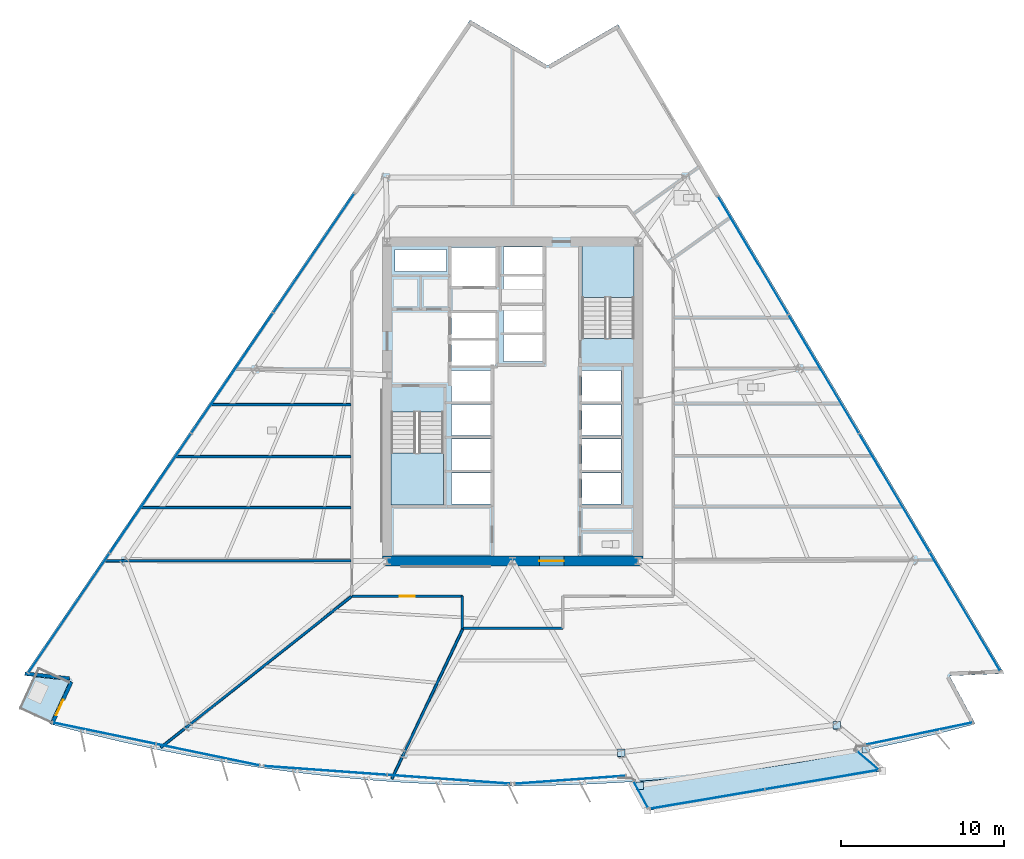
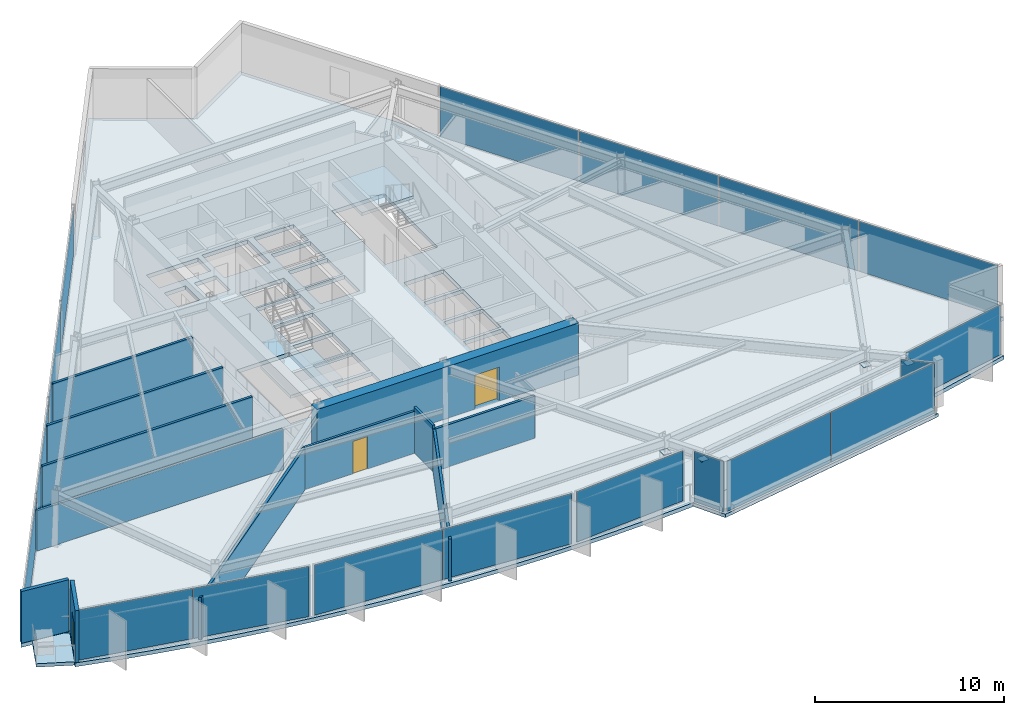
# One storey, part 8 of 18: 22 plates, 12 walls, 5 slabs, 3 doors, 3 openings, 11 elements without a shape of their own.
"""IFC4 building model written with IfcOpenShell, lengths in metres."""

from ifc_helpers import new_model, si_unit, direction, frame, frame_2d, origin, origin_2d, place, context, subcontext, project, spatial, polyline, rectangle, outline, extrude, material, layer, layer_set, type_object, element, fill, aggregate, save


model = new_model("IFC4")

# Units and contexts
model_context = context("Model", 3, precision=1e-05, world=origin(), true_north=direction((0.0, 1.0)))
body_context = subcontext(model_context, "Body", "Model", "MODEL_VIEW")
ifc_project = project(units=[si_unit("LENGTHUNIT", "METRE"), si_unit("AREAUNIT", "SQUARE_METRE"), si_unit("VOLUMEUNIT", "CUBIC_METRE"), si_unit("PLANEANGLEUNIT", "RADIAN"), si_unit("MASSUNIT", "GRAM", prefix="KILO")], contexts=[model_context])

# Site, building, storey
site_placement = place(None, origin())
site = spatial("IfcSite", under=ifc_project, at=site_placement, CompositionType="ELEMENT")
building_placement = place(site_placement, origin())
building = spatial("IfcBuilding", under=site, at=building_placement, Name="Savorim Split Tower", CompositionType="ELEMENT")
storey_placement = place(building_placement, frame((0.0, 0.0, 48.0)))
storey = spatial("IfcBuildingStorey", under=building, at=storey_placement, Name="L12", CompositionType="ELEMENT", Elevation=48.0)

# Curtain wall, plates
ifc_material_1 = material(Name="Dark Ceramic-Fritted Insulated Glass", Category="glass")
curtain_wall_type_1 = type_object("IfcCurtainWallType", Name="CW-TWR-FRIT-A", PredefinedType="NOTDEFINED", material=ifc_material_1)
curtain_wall_1_placement = place(storey_placement, origin())
curtain_wall_1 = element("IfcCurtainWall", 1, at=curtain_wall_1_placement, inside=storey, type_object=curtain_wall_type_1, Name="L12 Curtain Wall CW-L12-SF1A", PredefinedType="NOTDEFINED")
ifc_layer_1 = layer(ifc_material_1, 0.028076171875)
ifc_layer_set_1 = layer_set([ifc_layer_1], Name="CWP-FRITA-28")
plate_type_1 = type_object("IfcPlateType", Name="CWP-FRITA-28", PredefinedType="CURTAIN_PANEL", material=ifc_layer_set_1)
plate_1_placement = place(storey_placement, frame((-25.066162109375, -19.96923828125, 0.05517578125), z_axis=(0.0, 0.0, 1.0), x_axis=(0.9791346714, -0.203212438751, 0.0)))
plate_1 = element("IfcPlate", 2, at=plate_1_placement, type_object=plate_type_1, Name="CW-02 panel 1.1", PredefinedType="CURTAIN_PANEL", context=body_context, shape_type="SweptSolid", body=[
    extrude(rectangle(XDim=6.43017578125, YDim=0.028076171875, at=origin_2d()), origin(), (0.0, 0.0, 1.0), 3.239990234375),
])
plate_2_placement = place(storey_placement, frame((-18.70654296875, -21.289306640625, 0.05517578125), z_axis=(0.0, 0.0, 1.0), x_axis=(0.9791346714, -0.203212438751, 0.0)))
plate_2 = element("IfcPlate", 3, at=plate_2_placement, type_object=plate_type_1, Name="CW-02 panel 2.1", PredefinedType="CURTAIN_PANEL", context=body_context, shape_type="SweptSolid", body=[
    extrude(rectangle(XDim=6.43017578125, YDim=0.028076171875, at=origin_2d()), origin(), (0.0, 0.0, 1.0), 3.239990234375),
])
aggregate(curtain_wall_1, [plate_1, plate_2])

curtain_wall_2_placement = place(storey_placement, origin())
curtain_wall_2 = element("IfcCurtainWall", 4, at=curtain_wall_2_placement, inside=storey, type_object=curtain_wall_type_1, Name="L12 Curtain Wall CW-L12-SF2A", PredefinedType="NOTDEFINED")
plate_3_placement = place(storey_placement, frame((-11.491455078125, -22.25537109375, 0.05517578125), z_axis=(0.0, 0.0, 1.0), x_axis=(0.997436164811, -0.071561841284, 0.0)))
plate_3 = element("IfcPlate", 5, at=plate_3_placement, type_object=plate_type_1, Name="CW-02 panel 1.1", PredefinedType="CURTAIN_PANEL", context=body_context, shape_type="SweptSolid", body=[
    extrude(rectangle(XDim=7.532958984375, YDim=0.028076171875, at=origin_2d()), origin(), (0.0, 0.0, 1.0), 3.239990234375),
])
plate_4_placement = place(storey_placement, frame((-3.912841796875, -22.799072265625, 0.05517578125), z_axis=(0.0, 0.0, 1.0), x_axis=(0.997436164811, -0.071561841284, 0.0)))
plate_4 = element("IfcPlate", 6, at=plate_4_placement, type_object=plate_type_1, Name="CW-02 panel 2.1", PredefinedType="CURTAIN_PANEL", context=body_context, shape_type="SweptSolid", body=[
    extrude(rectangle(XDim=7.532958984375, YDim=0.028076171875, at=origin_2d()), origin(), (0.0, 0.0, 1.0), 3.239990234375),
])
aggregate(curtain_wall_2, [plate_3, plate_4])

# Curtain wall, plate
curtain_wall_3_placement = place(storey_placement, origin())
curtain_wall_3 = element("IfcCurtainWall", 7, at=curtain_wall_3_placement, inside=storey, type_object=curtain_wall_type_1, Name="L12 Curtain Wall CW-L12-SF3A", PredefinedType="NOTDEFINED")
plate_5_placement = place(storey_placement, frame((3.534912109375, -22.826171875, 0.05517578125), z_axis=(0.0, 0.0, 1.0), x_axis=(0.997435490259, 0.071571242627, 0.0)))
plate_5 = element("IfcPlate", 8, at=plate_5_placement, type_object=plate_type_1, Name="CW-02 panel 1.1", PredefinedType="CURTAIN_PANEL", context=body_context, shape_type="SweptSolid", body=[
    extrude(rectangle(XDim=6.77490234375, YDim=0.028076171875, at=origin_2d()), origin(), (0.0, 0.0, 1.0), 3.239990234375),
])
aggregate(curtain_wall_3, [plate_5])

curtain_wall_4_placement = place(storey_placement, origin())
curtain_wall_4 = element("IfcCurtainWall", 9, at=curtain_wall_4_placement, inside=storey, type_object=curtain_wall_type_1, Name="L12 Curtain Wall CW-L12-SF4A", PredefinedType="NOTDEFINED")
plate_6_placement = place(storey_placement, frame((24.946044921875, -19.994384765625, 0.05517578125), z_axis=(0.0, 0.0, 1.0), x_axis=(0.979133561639, 0.203217785816, 0.0)))
plate_6 = element("IfcPlate", 10, at=plate_6_placement, type_object=plate_type_1, Name="CW-02 panel 1.1", PredefinedType="CURTAIN_PANEL", context=body_context, shape_type="SweptSolid", body=[
    extrude(rectangle(XDim=6.675537109375, YDim=0.028076171875, at=origin_2d()), origin(), (0.0, 0.0, 1.0), 3.239990234375),
])
aggregate(curtain_wall_4, [plate_6])

# Curtain wall, plates
curtain_wall_5_placement = place(storey_placement, origin())
curtain_wall_5 = element("IfcCurtainWall", 11, at=curtain_wall_5_placement, inside=storey, type_object=curtain_wall_type_1, Name="L12 Curtain Wall CW-L12-EAST", PredefinedType="NOTDEFINED")
plate_7_placement = place(storey_placement, frame((27.76611328125, -12.51416015625, 0.05517578125), z_axis=(0.0, 0.0, 1.0), x_axis=(-0.511092439425, 0.859525752007, 0.0)))
plate_7 = element("IfcPlate", 12, at=plate_7_placement, type_object=plate_type_1, Name="CW-02 panel 1.1", PredefinedType="CURTAIN_PANEL", context=body_context, shape_type="SweptSolid", body=[
    extrude(rectangle(XDim=8.394775390625, YDim=0.028076171875, at=origin_2d()), origin(), (0.0, 0.0, 1.0), 3.239990234375),
])
plate_8_placement = place(storey_placement, frame((23.43408203125, -5.228759765625, 0.05517578125), z_axis=(0.0, 0.0, 1.0), x_axis=(-0.511092439425, 0.859525752007, 0.0)))
plate_8 = element("IfcPlate", 13, at=plate_8_placement, type_object=plate_type_1, Name="CW-02 panel 2.1", PredefinedType="CURTAIN_PANEL", context=body_context, shape_type="SweptSolid", body=[
    extrude(rectangle(XDim=8.42724609375, YDim=0.028076171875, at=origin_2d()), origin(), (0.0, 0.0, 1.0), 3.239990234375),
])
plate_9_placement = place(storey_placement, frame((19.093505859375, 2.070556640625, 0.05517578125), z_axis=(0.0, 0.0, 1.0), x_axis=(-0.511092439425, 0.859525752007, 0.0)))
plate_9 = element("IfcPlate", 14, at=plate_9_placement, type_object=plate_type_1, Name="CW-02 panel 3.1", PredefinedType="CURTAIN_PANEL", context=body_context, shape_type="SweptSolid", body=[
    extrude(rectangle(XDim=8.42724609375, YDim=0.028076171875, at=origin_2d()), origin(), (0.0, 0.0, 1.0), 3.239990234375),
])
plate_10_placement = place(storey_placement, frame((14.761474609375, 9.35595703125, 0.05517578125), z_axis=(0.0, 0.0, 1.0), x_axis=(-0.511092439425, 0.859525752007, 0.0)))
plate_10 = element("IfcPlate", 15, at=plate_10_placement, type_object=plate_type_1, Name="CW-02 panel 4.1", PredefinedType="CURTAIN_PANEL", context=body_context, shape_type="SweptSolid", body=[
    extrude(rectangle(XDim=8.394775390625, YDim=0.028076171875, at=origin_2d()), origin(), (0.0, 0.0, 1.0), 3.239990234375),
])
aggregate(curtain_wall_5, [plate_7, plate_8, plate_9, plate_10])

curtain_wall_6_placement = place(storey_placement, origin())
curtain_wall_6 = element("IfcCurtainWall", 16, at=curtain_wall_6_placement, inside=storey, type_object=curtain_wall_type_1, Name="L12 Curtain Wall CW-L12-WEST", PredefinedType="NOTDEFINED")
plate_11_placement = place(storey_placement, frame((-12.20166015625, 9.489990234375, 0.05517578125), z_axis=(0.0, 0.0, 1.0), x_axis=(-0.562465253164, -0.826820923165, 0.0)))
plate_11 = element("IfcPlate", 17, at=plate_11_placement, type_object=plate_type_1, Name="CW-02 panel 1.1", PredefinedType="CURTAIN_PANEL", context=body_context, shape_type="SweptSolid", body=[
    extrude(rectangle(XDim=8.822265625, YDim=0.028076171875, at=origin_2d()), origin(), (0.0, 0.0, 1.0), 3.239990234375),
])
plate_12_placement = place(storey_placement, frame((-17.20947265625, 2.12841796875, 0.05517578125), z_axis=(0.0, 0.0, 1.0), x_axis=(-0.562465253164, -0.826820923165, 0.0)))
plate_12 = element("IfcPlate", 18, at=plate_12_placement, type_object=plate_type_1, Name="CW-02 panel 2.1", PredefinedType="CURTAIN_PANEL", context=body_context, shape_type="SweptSolid", body=[
    extrude(rectangle(XDim=8.854736328125, YDim=0.028076171875, at=origin_2d()), origin(), (0.0, 0.0, 1.0), 3.239990234375),
])
plate_13_placement = place(storey_placement, frame((-22.2265625, -5.24658203125, 0.05517578125), z_axis=(0.0, 0.0, 1.0), x_axis=(-0.562465253164, -0.826820923165, 0.0)))
plate_13 = element("IfcPlate", 19, at=plate_13_placement, type_object=plate_type_1, Name="CW-02 panel 3.1", PredefinedType="CURTAIN_PANEL", context=body_context, shape_type="SweptSolid", body=[
    extrude(rectangle(XDim=8.854736328125, YDim=0.028076171875, at=origin_2d()), origin(), (0.0, 0.0, 1.0), 3.239990234375),
])
plate_14_placement = place(storey_placement, frame((-27.234375, -12.608154296875, 0.05517578125), z_axis=(0.0, 0.0, 1.0), x_axis=(-0.562465253164, -0.826820923165, 0.0)))
plate_14 = element("IfcPlate", 20, at=plate_14_placement, type_object=plate_type_1, Name="CW-02 panel 4.1", PredefinedType="CURTAIN_PANEL", context=body_context, shape_type="SweptSolid", body=[
    extrude(rectangle(XDim=8.822265625, YDim=0.028076171875, at=origin_2d()), origin(), (0.0, 0.0, 1.0), 3.239990234375),
])
aggregate(curtain_wall_6, [plate_11, plate_12, plate_13, plate_14])

curtain_wall_type_2 = type_object("IfcCurtainWallType", Name="CW-BAY-LOUNGE", PredefinedType="NOTDEFINED", material=ifc_material_1)
curtain_wall_7_placement = place(storey_placement, origin())
curtain_wall_7 = element("IfcCurtainWall", 21, at=curtain_wall_7_placement, inside=storey, type_object=curtain_wall_type_2, Name="L12 Curtain Wall CW-L12-BAYF", PredefinedType="NOTDEFINED")
ifc_material_2 = material(Name="Low-E Operable Double Glazing", Category="glass")
ifc_layer_2 = layer(ifc_material_2, 0.031982421875)
ifc_layer_set_2 = layer_set([ifc_layer_2], Name="CWP-POD-32")
plate_type_2 = type_object("IfcPlateType", Name="CWP-POD-32", PredefinedType="CURTAIN_PANEL", material=ifc_layer_set_2)
plate_15_placement = place(storey_placement, frame((11.9560546875, -24.0107421875, 0.05517578125), z_axis=(0.0, 0.0, 1.0), x_axis=(0.985981114178, 0.166856952162, 0.0)))
plate_15 = element("IfcPlate", 22, at=plate_15_placement, type_object=plate_type_2, Name="CW-04 panel 1.1", PredefinedType="CURTAIN_PANEL", context=body_context, shape_type="SweptSolid", body=[
    extrude(rectangle(XDim=7.095458984375, YDim=0.031982421875, at=origin_2d()), origin(), (0.0, 0.0, 1.0), 3.239990234375),
])
plate_16_placement = place(storey_placement, frame((19.01611328125, -22.81591796875, 0.05517578125), z_axis=(0.0, 0.0, 1.0), x_axis=(0.985981114178, 0.166856952162, 0.0)))
plate_16 = element("IfcPlate", 23, at=plate_16_placement, type_object=plate_type_2, Name="CW-04 panel 2.1", PredefinedType="CURTAIN_PANEL", context=body_context, shape_type="SweptSolid", body=[
    extrude(rectangle(XDim=7.095458984375, YDim=0.031982421875, at=origin_2d()), origin(), (0.0, 0.0, 1.0), 3.239990234375),
])
aggregate(curtain_wall_7, [plate_15, plate_16])

# Curtain wall, plate
curtain_wall_8_placement = place(storey_placement, origin())
curtain_wall_8 = element("IfcCurtainWall", 24, at=curtain_wall_8_placement, inside=storey, type_object=curtain_wall_type_2, Name="L12 Curtain Wall CW-L12-BAYW", PredefinedType="NOTDEFINED")
plate_17_placement = place(storey_placement, frame((7.87109375, -23.743408203125, 0.05517578125), z_axis=(0.0, 0.0, 1.0), x_axis=(0.475743412281, -0.879584109492, 0.0)))
plate_17 = element("IfcPlate", 25, at=plate_17_placement, type_object=plate_type_2, Name="CW-04 panel 1.1", PredefinedType="CURTAIN_PANEL", context=body_context, shape_type="SweptSolid", body=[
    extrude(rectangle(XDim=1.81005859375, YDim=0.031982421875, at=origin_2d()), origin(), (0.0, 0.0, 1.0), 3.239990234375),
])
aggregate(curtain_wall_8, [plate_17])

curtain_wall_9_placement = place(storey_placement, origin())
curtain_wall_9 = element("IfcCurtainWall", 26, at=curtain_wall_9_placement, inside=storey, type_object=curtain_wall_type_2, Name="L12 Curtain Wall CW-L12-BAYE", PredefinedType="NOTDEFINED")
plate_18_placement = place(storey_placement, frame((21.79638671875, -21.636474609375, 0.05517578125), z_axis=(0.0, 0.0, 1.0), x_axis=(-0.758694689243, 0.651446366568, 0.0)))
plate_18 = element("IfcPlate", 27, at=plate_18_placement, type_object=plate_type_2, Name="CW-04 panel 1.1", PredefinedType="CURTAIN_PANEL", context=body_context, shape_type="SweptSolid", body=[
    extrude(rectangle(XDim=1.705078125, YDim=0.031982421875, at=origin_2d()), origin(), (0.0, 0.0, 1.0), 3.239990234375),
])
aggregate(curtain_wall_9, [plate_18])

# Plates
ifc_material_3 = material(Name="Steel S460", Category="steel")
ifc_layer_3 = layer(ifc_material_3, 0.02490234375)
ifc_layer_set_3 = layer_set([ifc_layer_3], Name="PLT-NODE-CN1")
plate_type_3 = type_object("IfcPlateType", Name="PLT-NODE-CN1", PredefinedType="SHEET", material=ifc_layer_set_3)
for number, where, z_axis, x_axis, name in (
    (28, (6.665283203125, -21.18212890625, 2.4375), (0.0, 0.0, 1.0), (1.0, 0.0, 0.0), "L12 Bay Strut Column Gusset Plate 1"),
    (29, (7.81640625, -23.18603515625, 2.8076171875), (0.0, 0.0, 1.0), (1.0, 0.0, 0.0), "L12 Bay Strut Tip Gusset Plate 1"),
    (30, (19.887451171875, -19.484619140625, 2.4375), (0.0, 0.0, 1.0), (1.0, 0.0, 0.0), "L12 Bay Strut Column Gusset Plate 2"),
    (31, (21.67578125, -20.942626953125, 2.8076171875), (0.0, 0.0, 1.0), (1.0, 0.0, 0.0), "L12 Bay Strut Tip Gusset Plate 2"),
):
    element("IfcPlate", number, at=place(storey_placement, frame(where, z_axis=z_axis, x_axis=x_axis)), inside=storey, type_object=plate_type_3, Name=name, PredefinedType="SHEET", context=body_context, shape_type="SweptSolid", body=[
        extrude(rectangle(XDim=0.4599609375, YDim=0.4599609375, at=origin_2d()), origin(), (0.0, 0.0, 1.0), 0.02490234375),
    ])

# Slabs
ifc_material_4 = material(Name="Concrete C50/60", Category="concrete")
ifc_layer_4 = layer(ifc_material_4, 0.219970703125)
ifc_layer_set_4 = layer_set([ifc_layer_4], Name="SLB-BAL-220")
slab_type_1 = type_object("IfcSlabType", Name="SLB-BAL-220", PredefinedType="FLOOR", material=ifc_layer_set_4)
slab_1_placement = place(storey_placement, frame((0.0, 0.0, -0.219970703125)))
element("IfcSlab", 32, at=slab_1_placement, inside=storey, type_object=slab_type_1, Name="L12 Cantilevered Shared Kitchen Lounge Slab", PredefinedType="FLOOR", context=body_context, shape_type="SweptSolid", body=[
    extrude(outline(polyline([(21.29638671875, -21.0751953125), (19.783203125, -21.373046875), (17.60595703125, -21.755615234375), (15.42138671875, -22.093505859375), (13.230224609375, -22.38671875), (11.03369140625, -22.635009765625), (8.83251953125, -22.83837890625), (7.326416015625, -22.9462890625), (8.292236328125, -24.732177734375), (22.713134765625, -22.291748046875), (21.29638671875, -21.0751953125)])), origin(), (0.0, 0.0, 1.0), 0.219970703125),
])
slab_2_placement = place(storey_placement, frame((0.0, 0.0, -0.219970703125)))
element("IfcSlab", 33, at=slab_2_placement, inside=storey, type_object=slab_type_1, Name="L12 Notched Corner Planted Tree Balcony Slab", PredefinedType="FLOOR", context=body_context, shape_type="SweptSolid", body=[
    extrude(outline(polyline([(-28.3544921875, -19.288818359375), (-27.230712890625, -16.843017578125), (-27.541015625, -16.7001953125), (-29.32421875, -16.501220703125), (-30.212646484375, -18.43505859375), (-28.3544921875, -19.288818359375)])), origin(), (0.0, 0.0, 1.0), 0.219970703125),
])

# Stair, slab
stair_type = type_object("IfcStairType", Name="STR-DOG-3600", PredefinedType="HALF_TURN_STAIR", material=ifc_material_4)
stair_1_placement = place(storey_placement, origin())
stair_1 = element("IfcStair", 34, at=stair_1_placement, inside=storey, type_object=stair_type, Name="L12 Core Protected Exit Stair ST-1", PredefinedType="HALF_TURN_STAIR")
ifc_layer_5 = layer(ifc_material_4, 0.199951171875)
ifc_layer_set_5 = layer_set([ifc_layer_5], Name="SLB-LND-200")
slab_type_2 = type_object("IfcSlabType", Name="SLB-LND-200", PredefinedType="LANDING", material=ifc_layer_set_5)
slab_3_placement = place(storey_placement, frame((0.0, 0.0, 1.60009765625)))
slab_3 = element("IfcSlab", 35, at=slab_3_placement, type_object=slab_type_2, Name="ST-1 landing 1", PredefinedType="LANDING", context=body_context, shape_type="SweptSolid", body=[
    extrude(outline(polyline([(-7.449951171875, -2.77001953125), (-7.449951171875, -5.949951171875), (-4.25, -5.949951171875), (-4.25, -2.77001953125), (-7.449951171875, -2.77001953125)])), origin(), (0.0, 0.0, 1.0), 0.199951171875),
])
aggregate(stair_1, [slab_3])

stair_2_placement = place(storey_placement, origin())
stair_2 = element("IfcStair", 36, at=stair_2_placement, inside=storey, type_object=stair_type, Name="L12 Core Protected Exit Stair ST-2", PredefinedType="HALF_TURN_STAIR")
slab_4_placement = place(storey_placement, frame((0.0, 0.0, 1.60009765625)))
slab_4 = element("IfcSlab", 37, at=slab_4_placement, type_object=slab_type_2, Name="ST-2 landing 1", PredefinedType="LANDING", context=body_context, shape_type="SweptSolid", body=[
    extrude(outline(polyline([(7.449951171875, 6.77001953125), (7.449951171875, 9.949951171875), (4.25, 9.949951171875), (4.25, 6.77001953125), (7.449951171875, 6.77001953125)])), origin(), (0.0, 0.0, 1.0), 0.199951171875),
])
aggregate(stair_2, [slab_4])

# Slab
ifc_layer_6 = layer(ifc_material_4, 0.25)
ifc_layer_set_6 = layer_set([ifc_layer_6], Name="SLB-TWR-250")
slab_type_3 = type_object("IfcSlabType", Name="SLB-TWR-250", PredefinedType="FLOOR", material=ifc_layer_set_6)
slab_5_placement = place(storey_placement, frame((0.0, 0.0, -0.25)))
element("IfcSlab", 38, at=slab_5_placement, inside=storey, type_object=slab_type_3, Name="L12 Structural Floor Slab", PredefinedType="FLOOR", context=body_context, shape_type="SweptSolid", body=[
    extrude(outline(polyline([(-28.39990234375, -19.39990234375), (-26.261474609375, -19.959228515625), (-24.11181640625, -20.474609375), (-21.951904296875, -20.946044921875), (-19.783203125, -21.373046875), (-17.60595703125, -21.755615234375), (-15.42138671875, -22.093505859375), (-13.230224609375, -22.38671875), (-11.03369140625, -22.635009765625), (-8.83251953125, -22.83837890625), (-6.627685546875, -22.99658203125), (-4.419921875, -23.109619140625), (-2.21044921875, -23.177490234375), (0.0, -23.199951171875), (2.21044921875, -23.177490234375), (4.419921875, -23.109619140625), (6.627685546875, -22.99658203125), (8.83251953125, -22.83837890625), (11.03369140625, -22.635009765625), (13.230224609375, -22.38671875), (15.42138671875, -22.093505859375), (17.60595703125, -21.755615234375), (19.783203125, -21.373046875), (21.951904296875, -20.946044921875), (24.11181640625, -20.474609375), (26.261474609375, -19.959228515625), (28.39990234375, -19.39990234375), (26.81591796875, -16.447998046875), (30.16015625, -16.3056640625), (6.473876953125, 23.5283203125), (2.14990234375, 21.00830078125), (-2.6083984375, 23.80517578125), (-29.97509765625, -16.423583984375), (-27.176025390625, -16.736083984375), (-28.39990234375, -19.39990234375)]), holes=[polyline([(-7.449951171875, -0.25390625), (-7.449951171875, -5.949951171875), (-4.25, -5.949951171875), (-4.25, -0.25390625), (-7.449951171875, -0.25390625)]), polyline([(7.449951171875, 4.25390625), (7.449951171875, 9.949951171875), (4.25, 9.949951171875), (4.25, 4.25390625), (7.449951171875, 4.25390625)]), polyline([(4.25, -5.89990234375), (6.64990234375, -5.89990234375), (6.64990234375, -4.0), (4.25, -4.0), (4.25, -5.89990234375)]), polyline([(4.25, -3.800048828125), (6.64990234375, -3.800048828125), (6.64990234375, -1.89990234375), (4.25, -1.89990234375), (4.25, -3.800048828125)]), polyline([(4.25, -1.699951171875), (6.64990234375, -1.699951171875), (6.64990234375, 0.199951171875), (4.25, 0.199951171875), (4.25, -1.699951171875)]), polyline([(4.25, 0.39990234375), (6.64990234375, 0.39990234375), (6.64990234375, 2.300048828125), (4.25, 2.300048828125), (4.25, 0.39990234375)]), polyline([(-3.75, -5.89990234375), (-1.35009765625, -5.89990234375), (-1.35009765625, -4.0), (-3.75, -4.0), (-3.75, -5.89990234375)]), polyline([(-3.75, -3.800048828125), (-1.35009765625, -3.800048828125), (-1.35009765625, -1.89990234375), (-3.75, -1.89990234375), (-3.75, -3.800048828125)]), polyline([(-3.75, -1.699951171875), (-1.35009765625, -1.699951171875), (-1.35009765625, 0.199951171875), (-3.75, 0.199951171875), (-3.75, -1.699951171875)]), polyline([(-3.75, 0.39990234375), (-1.35009765625, 0.39990234375), (-1.35009765625, 2.300048828125), (-3.75, 2.300048828125), (-3.75, 0.39990234375)]), polyline([(-0.550048828125, 2.830078125), (1.85009765625, 2.830078125), (1.85009765625, 4.469970703125), (-0.550048828125, 4.469970703125), (-0.550048828125, 2.830078125)]), polyline([(-0.550048828125, 4.6298828125), (1.85009765625, 4.6298828125), (1.85009765625, 6.27001953125), (-0.550048828125, 6.27001953125), (-0.550048828125, 4.6298828125)]), polyline([(-0.550048828125, 6.429931640625), (1.85009765625, 6.429931640625), (1.85009765625, 8.070068359375), (-0.550048828125, 8.070068359375), (-0.550048828125, 6.429931640625)]), polyline([(-0.550048828125, 8.22998046875), (1.85009765625, 8.22998046875), (1.85009765625, 9.8701171875), (-0.550048828125, 9.8701171875), (-0.550048828125, 8.22998046875)]), polyline([(-3.75, 2.60009765625), (-1.050048828125, 2.60009765625), (-1.050048828125, 4.159912109375), (-3.75, 4.159912109375), (-3.75, 2.60009765625)]), polyline([(-3.75, 4.280029296875), (-1.050048828125, 4.280029296875), (-1.050048828125, 5.840087890625), (-3.75, 5.840087890625), (-3.75, 4.280029296875)]), polyline([(-3.75, 7.449951171875), (-0.949951171875, 7.449951171875), (-0.949951171875, 9.85009765625), (-3.75, 9.85009765625), (-3.75, 7.449951171875)]), polyline([(-7.219970703125, 6.320068359375), (-5.919921875, 6.320068359375), (-5.919921875, 7.820068359375), (-7.219970703125, 7.820068359375), (-7.219970703125, 6.320068359375)]), polyline([(-5.3798828125, 6.320068359375), (-4.050048828125, 6.320068359375), (-4.050048828125, 7.820068359375), (-5.3798828125, 7.820068359375), (-5.3798828125, 6.320068359375)]), polyline([(-7.219970703125, 8.360107421875), (-4.050048828125, 8.360107421875), (-4.050048828125, 9.719970703125), (-7.219970703125, 9.719970703125), (-7.219970703125, 8.360107421875)])]), origin(), (0.0, 0.0, 1.0), 0.25),
])

# Wall, opening, door
ifc_material_5 = material(Name="Concrete C60/75", Category="concrete")
ifc_layer_7 = layer(ifc_material_5, 0.60009765625)
ifc_layer_set_7 = layer_set([ifc_layer_7], Name="WAL-COR-SH600")
wall_type_1 = type_object("IfcWallType", Name="WAL-COR-SH600", PredefinedType="SHEAR", material=ifc_layer_set_7)
wall_1_placement = place(storey_placement, frame((-8.0, -9.39990234375, 0.0), z_axis=(0.0, 0.0, 1.0), x_axis=(1.0, 0.0, 0.0)))
wall_1 = element("IfcWall", 39, at=wall_1_placement, inside=storey, type_object=wall_type_1, Name="L12 Offset Core South Shear Wall", PredefinedType="SHEAR", context=body_context, shape_type="SweptSolid", body=[
    extrude(rectangle(XDim=16.0, YDim=0.60009765625, at=frame_2d((8.0, 0.0))), origin(), (0.0, 0.0, 1.0), 3.35009765625),
])
opening_1_placement = place(wall_1_placement, frame((9.64990234375, 0.0, 0.0)))
opening_1 = element("IfcOpeningElement", 40, at=opening_1_placement, cuts=wall_1, Name="Opening DI-02", PredefinedType="OPENING", context=body_context, shape_type="SweptSolid", body=[
    extrude(rectangle(XDim=1.5, YDim=2.199951171875, at=frame_2d((0.75, 1.10009765625))), frame((0.0, 0.31005859375, 0.0), z_axis=(0.0, -1.0, 0.0), x_axis=(1.0, 0.0, 0.0)), (0.0, 0.0, 1.0), 0.6201171875),
])
ifc_material_6 = material(Name="Timber Fire Door Leaf", Category="wood")
door_type_1 = type_object("IfcDoorType", Name="DOR-DBL-1500", OperationType="NOTDEFINED", PredefinedType="DOOR", material=ifc_material_6)
door_1_placement = place(opening_1_placement, origin())
door_1 = element("IfcDoor", 41, at=door_1_placement, inside=storey, type_object=door_type_1, Name="DOR-L12-COR-LLOB - L12 Lift Lobby Main Rated Door", OperationType="DOUBLE_DOOR_SINGLE_SWING", OverallHeight=2.199951171875, OverallWidth=1.5, PredefinedType="DOOR", context=body_context, shape_type="SweptSolid", body=[
    extrude(rectangle(XDim=1.5, YDim=2.199951171875, at=frame_2d((0.75, 1.10009765625))), frame((0.0, 0.02490234375, 0.0), z_axis=(0.0, -1.0, 0.0), x_axis=(1.0, 0.0, 0.0)), (0.0, 0.0, 1.0), 0.050048828125),
])
fill(opening_1, door_1)

# Wall
ifc_material_7 = material(Name="Precast concrete C40/50", Category="concrete")
ifc_layer_8 = layer(ifc_material_7, 0.219970703125)
ifc_layer_set_8 = layer_set([ifc_layer_8], Name="WAL-EXT-CRN220")
wall_type_2 = type_object("IfcWallType", Name="WAL-EXT-CRN220", PredefinedType="SOLIDWALL", material=ifc_layer_set_8)
wall_2_placement = place(storey_placement, frame((-27.202392578125, -16.6123046875, 0.0), z_axis=(0.0, 0.0, 1.0), x_axis=(-0.993822658088, 0.110979837223, 0.0)))
element("IfcWall", 42, at=wall_2_placement, inside=storey, type_object=wall_type_2, Name="L12 Notched Corner Facade Wall SW1", PredefinedType="SOLIDWALL", context=body_context, shape_type="SweptSolid", body=[
    extrude(rectangle(XDim=2.736572265625, YDim=0.219970703125, at=frame_2d((1.3681640625, 0.0))), origin(), (0.0, 0.0, 1.0), 3.35009765625),
])

# Wall, opening, door
wall_3_placement = place(storey_placement, frame((-28.2744140625, -19.413818359375, 0.0), z_axis=(0.0, 0.0, 1.0), x_axis=(0.417521186742, 0.908667188041, 0.0)))
wall_3 = element("IfcWall", 43, at=wall_3_placement, inside=storey, type_object=wall_type_2, Name="L12 Notched Corner Facade Wall SW", PredefinedType="SOLIDWALL", context=body_context, shape_type="SweptSolid", body=[
    extrude(rectangle(XDim=2.851806640625, YDim=0.219970703125, at=frame_2d((1.42578125, 0.0))), origin(), (0.0, 0.0, 1.0), 3.35009765625),
])
opening_2_placement = place(wall_3_placement, frame((0.600830078125, 0.0, 0.0)))
opening_2 = element("IfcOpeningElement", 44, at=opening_2_placement, cuts=wall_3, Name="Opening DB-01", PredefinedType="OPENING", context=body_context, shape_type="SweptSolid", body=[
    extrude(rectangle(XDim=1.050048828125, YDim=2.14990234375, at=frame_2d((0.52490234375, 1.074951171875))), frame((0.0, 0.119873046875, 0.0), z_axis=(0.0, -1.0, 0.0), x_axis=(1.0, 0.0, 0.0)), (0.0, 0.0, 1.0), 0.239990234375),
])
ifc_material_8 = material(Name="Charcoal Anodised Aluminium", Category="aluminium")
door_type_2 = type_object("IfcDoorType", Name="DOR-BAL-1050", OperationType="NOTDEFINED", PredefinedType="DOOR", material=ifc_material_8)
door_2_placement = place(opening_2_placement, origin())
door_2 = element("IfcDoor", 45, at=door_2_placement, inside=storey, type_object=door_type_2, Name="DOR-L12-TBAL-SW - L12 Planted Tree Balcony Door SW", OperationType="SINGLE_SWING_LEFT", OverallHeight=2.14990234375, OverallWidth=1.050048828125, PredefinedType="DOOR", context=body_context, shape_type="SweptSolid", body=[
    extrude(rectangle(XDim=1.050048828125, YDim=2.14990234375, at=frame_2d((0.52490234375, 1.074951171875))), frame((0.0, 0.02490234375, 0.0), z_axis=(0.0, -1.0, 0.0), x_axis=(1.0, 0.0, 0.0)), (0.0, 0.0, 1.0), 0.050048828125),
])
fill(opening_2, door_2)

# Walls
ifc_material_9 = material(Name="Acoustic Gypsum Partition Board")
ifc_layer_9 = layer(ifc_material_9, 0.14990234375)
ifc_layer_set_9 = layer_set([ifc_layer_9], Name="WAL-PAR-150")
wall_type_3 = type_object("IfcWallType", Name="WAL-PAR-150", PredefinedType="PARTITIONING", material=ifc_layer_set_9)
wall_4_placement = place(storey_placement, frame((3.080078125, -13.530029296875, 0.0), z_axis=(0.0, 0.0, 1.0), x_axis=(-1.0, 0.0, 0.0)))
element("IfcWall", 46, at=wall_4_placement, inside=storey, type_object=wall_type_3, Name="L12 Partition W-L12-COR-08", PredefinedType="PARTITIONING", context=body_context, shape_type="SweptSolid", body=[
    extrude(rectangle(XDim=6.16015625, YDim=0.14990234375, at=frame_2d((3.080078125, 0.0))), origin(), (0.0, 0.0, 1.0), 2.72509765625),
])
wall_5_placement = place(storey_placement, frame((-3.080078125, -13.530029296875, 0.0), z_axis=(0.0, 0.0, 1.0), x_axis=(0.0, 1.0, 0.0)))
element("IfcWall", 47, at=wall_5_placement, inside=storey, type_object=wall_type_3, Name="L12 Partition W-L12-COR-09", PredefinedType="PARTITIONING", context=body_context, shape_type="SweptSolid", body=[
    extrude(rectangle(XDim=1.969970703125, YDim=0.14990234375, at=frame_2d((0.98486328125, 0.0))), origin(), (0.0, 0.0, 1.0), 2.965087890625),
])

# Wall, opening, door
wall_6_placement = place(storey_placement, frame((-3.080078125, -11.56005859375, 0.0), z_axis=(0.0, 0.0, 1.0), x_axis=(-1.0, 0.0, 0.0)))
wall_6 = element("IfcWall", 48, at=wall_6_placement, inside=storey, type_object=wall_type_3, Name="L12 Partition W-L12-COR-10", PredefinedType="PARTITIONING", context=body_context, shape_type="SweptSolid", body=[
    extrude(rectangle(XDim=6.780029296875, YDim=0.14990234375, at=frame_2d((3.39013671875, 0.0))), origin(), (0.0, 0.0, 1.0), 2.72509765625),
])
opening_3_placement = place(wall_6_placement, frame((2.93994140625, 0.0, 0.0)))
opening_3 = element("IfcOpeningElement", 49, at=opening_3_placement, cuts=wall_6, Name="Opening DI-06", PredefinedType="OPENING", context=body_context, shape_type="SweptSolid", body=[
    extrude(rectangle(XDim=0.89990234375, YDim=2.10009765625, at=frame_2d((0.449951171875, 1.050048828125))), frame((0.0, 0.0849609375, 0.0), z_axis=(0.0, -1.0, 0.0), x_axis=(1.0, 0.0, 0.0)), (0.0, 0.0, 1.0), 0.169921875),
])
door_type_3 = type_object("IfcDoorType", Name="DOR-FIR-900", OperationType="NOTDEFINED", PredefinedType="DOOR", material=ifc_material_6)
door_3_placement = place(opening_3_placement, origin())
door_3 = element("IfcDoor", 50, at=door_3_placement, inside=storey, type_object=door_type_3, Name="DR-L12-RM05 - L12 Co-Working Commons Entry Door", OperationType="SINGLE_SWING_RIGHT", OverallHeight=2.10009765625, OverallWidth=0.89990234375, PredefinedType="DOOR", context=body_context, shape_type="SweptSolid", body=[
    extrude(rectangle(XDim=0.89990234375, YDim=2.10009765625, at=frame_2d((0.449951171875, 1.050048828125))), frame((0.0, 0.02490234375, 0.0), z_axis=(0.0, -1.0, 0.0), x_axis=(1.0, 0.0, 0.0)), (0.0, 0.0, 1.0), 0.050048828125),
])
fill(opening_3, door_3)

# Walls
wall_7_placement = place(storey_placement, frame((-9.88818359375, -11.568603515625, 0.0), z_axis=(0.0, 0.0, 1.0), x_axis=(-0.78362091668, -0.621239292819, 0.0)))
element("IfcWall", 51, at=wall_7_placement, inside=storey, type_object=wall_type_3, Name="L12 Partition W-L12-PRAD01", PredefinedType="PARTITIONING", context=body_context, shape_type="SweptSolid", body=[
    extrude(rectangle(XDim=14.93115234375, YDim=0.14990234375, at=frame_2d((7.465576171875, 0.0))), origin(), (0.0, 0.0, 1.0), 2.72509765625),
])
wall_8_placement = place(storey_placement, frame((-3.061279296875, -13.57568359375, 0.0), z_axis=(0.0, 0.0, 1.0), x_axis=(-0.427557967945, -0.903987933574, 0.0)))
element("IfcWall", 52, at=wall_8_placement, inside=storey, type_object=wall_type_3, Name="L12 Partition W-L12-PRAD02", PredefinedType="PARTITIONING", context=body_context, shape_type="SweptSolid", body=[
    extrude(rectangle(XDim=10.1708984375, YDim=0.14990234375, at=frame_2d((5.08544921875, 0.0))), origin(), (0.0, 0.0, 1.0), 2.72509765625),
])
wall_9_placement = place(storey_placement, frame((-9.919921875, -9.3876953125, 0.0), z_axis=(0.0, 0.0, 1.0), x_axis=(-1.0, 0.0, 0.0)))
element("IfcWall", 53, at=wall_9_placement, inside=storey, type_object=wall_type_3, Name="L12 Partition W-L12-PRAD10", PredefinedType="PARTITIONING", context=body_context, shape_type="SweptSolid", body=[
    extrude(rectangle(XDim=15.063232421875, YDim=0.14990234375, at=frame_2d((7.53173828125, 0.0))), origin(), (0.0, 0.0, 1.0), 2.60888671875),
])
wall_10_placement = place(storey_placement, frame((-9.919921875, -2.993408203125, 0.0), z_axis=(0.0, 0.0, 1.0), x_axis=(-1.0, 0.0, 0.0)))
element("IfcWall", 54, at=wall_10_placement, inside=storey, type_object=wall_type_3, Name="L12 Partition W-L12-SUB01", PredefinedType="PARTITIONING", context=body_context, shape_type="SweptSolid", body=[
    extrude(rectangle(XDim=10.71337890625, YDim=0.14990234375, at=frame_2d((5.356689453125, 0.0))), origin(), (0.0, 0.0, 1.0), 2.735107421875),
])
wall_11_placement = place(storey_placement, frame((-9.919921875, 0.203857421875, 0.0), z_axis=(0.0, 0.0, 1.0), x_axis=(-1.0, 0.0, 0.0)))
element("IfcWall", 55, at=wall_11_placement, inside=storey, type_object=wall_type_3, Name="L12 Partition W-L12-SUB04", PredefinedType="PARTITIONING", context=body_context, shape_type="SweptSolid", body=[
    extrude(rectangle(XDim=8.538330078125, YDim=0.14990234375, at=frame_2d((4.26904296875, 0.0))), origin(), (0.0, 0.0, 1.0), 2.735107421875),
])
wall_12_placement = place(storey_placement, frame((-9.919921875, -6.11962890625, 0.0), z_axis=(0.0, 0.0, 1.0), x_axis=(-1.0, 0.0, 0.0)))
element("IfcWall", 56, at=wall_12_placement, inside=storey, type_object=wall_type_3, Name="L12 Partition W-L12-SUB05", PredefinedType="PARTITIONING", context=body_context, shape_type="SweptSolid", body=[
    extrude(rectangle(XDim=12.840087890625, YDim=0.14990234375, at=frame_2d((6.419921875, 0.0))), origin(), (0.0, 0.0, 1.0), 2.735107421875),
])

save(model, "model.ifc")
